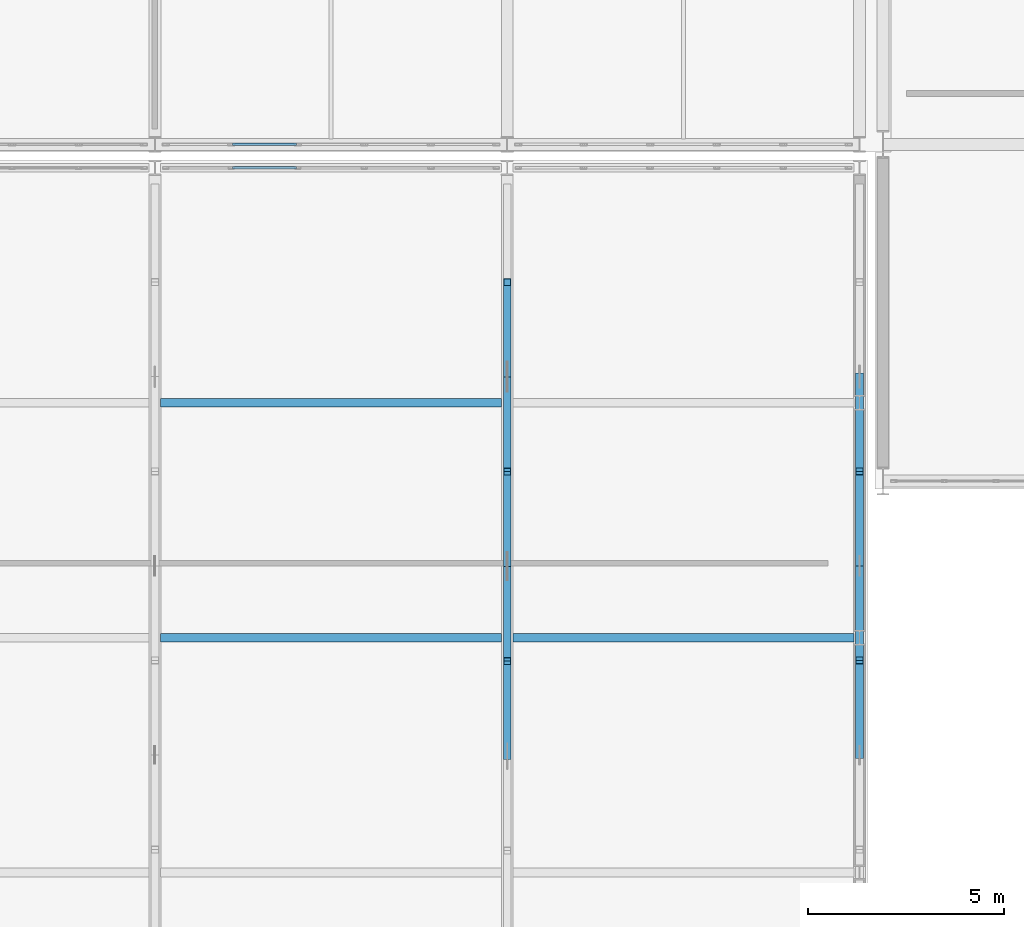
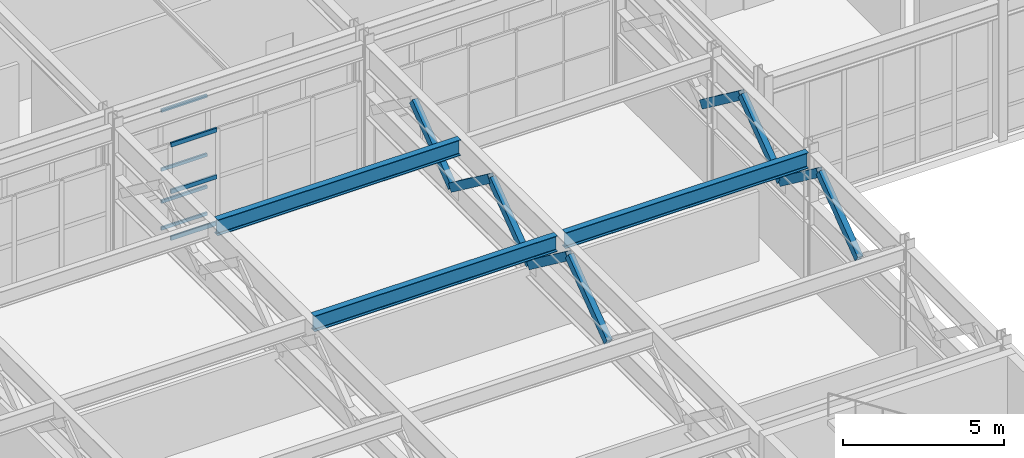
# One storey, part 44 of 210: 16 members, 3 beams, 2 elements without a shape of their own.
"""IFC4 building model written with IfcOpenShell, lengths in metres."""

from ifc_helpers import new_model, si_unit, direction, frame, origin, origin_2d, place, context, subcontext, project, spatial, hollow_rectangle, i_section, extrude, material, material_profile, profile_set, type_object, element, aggregate, save


model = new_model("IFC4")

# Units and contexts
model_context = context("Model", 3, precision=1e-05, world=origin(), true_north=direction((0.0, 1.0)))
body_context = subcontext(model_context, "Body", "Model", "MODEL_VIEW")
ifc_project = project(units=[si_unit("LENGTHUNIT", "METRE"), si_unit("AREAUNIT", "SQUARE_METRE"), si_unit("VOLUMEUNIT", "CUBIC_METRE"), si_unit("PLANEANGLEUNIT", "RADIAN"), si_unit("MASSUNIT", "GRAM", prefix="KILO")], contexts=[model_context])

# Site, building, storey
site_placement = place(None, origin())
site = spatial("IfcSite", under=ifc_project, at=site_placement, CompositionType="ELEMENT")
building_placement = place(site_placement, origin())
building = spatial("IfcBuilding", under=site, at=building_placement, Name="Kaldris Quays Convention Centre", CompositionType="ELEMENT")
storey_placement = place(building_placement, frame((0.0, 0.0, 6.0)))
storey = spatial("IfcBuildingStorey", under=building, at=storey_placement, Name="L01", CompositionType="ELEMENT", Elevation=6.0)

# Curtain wall, members
ifc_material_1 = material(Name="Anodized aluminium AW-6060 and triple glazing", Category="aluminium")
curtain_wall_type_1 = type_object("IfcCurtainWallType", Name="UNITISED CURTAIN WALL CW02", PredefinedType="NOTDEFINED", material=ifc_material_1)
curtain_wall_1_placement = place(storey_placement, origin())
curtain_wall_1 = element("IfcCurtainWall", 1, at=curtain_wall_1_placement, inside=storey, type_object=curtain_wall_type_1, Name="L01 Unitised Curtain Wall CW02 94", PredefinedType="NOTDEFINED")
ifc_material_2 = material(Name="Anodized aluminium AW-6060", Category="aluminium")
ifc_material_profile_1 = material_profile(ifc_material_2, hollow_rectangle(XDim=0.06005859375, YDim=0.1201171875, WallThickness=0.00390625, at=origin_2d()), Name="RHS 120x60x4")
ifc_profile_set_1 = profile_set([ifc_material_profile_1], Name="Anodized aluminium AW-6060")
member_type_1 = type_object("IfcMemberType", Name="CURTAIN TRANSOM CWT1", PredefinedType="USERDEFINED", material=ifc_profile_set_1)
member_1_placement = place(storey_placement, frame((66.97998046875, 46.60009765625, 0.030029296875), z_axis=(1.0, 0.0, 0.0), x_axis=(0.0, 1.0, 0.0)))
member_1 = element("IfcMember", 2, at=member_1_placement, type_object=member_type_1, Name="CW02 transom 2.1", ObjectType="TRANSOM", PredefinedType="USERDEFINED", context=body_context, shape_type="SweptSolid", body=[
    extrude(hollow_rectangle(XDim=0.06005859375, YDim=0.1201171875, WallThickness=0.00390625, at=origin_2d()), origin(), (0.0, 0.0, 1.0), 1.64013671875),
])
member_2_placement = place(storey_placement, frame((66.97998046875, 46.60009765625, 1.050048828125), z_axis=(1.0, 0.0, 0.0), x_axis=(0.0, 1.0, 0.0)))
member_2 = element("IfcMember", 3, at=member_2_placement, type_object=member_type_1, Name="CW02 transom 2.2", ObjectType="TRANSOM", PredefinedType="USERDEFINED", context=body_context, shape_type="SweptSolid", body=[
    extrude(hollow_rectangle(XDim=0.06005859375, YDim=0.1201171875, WallThickness=0.00390625, at=origin_2d()), origin(), (0.0, 0.0, 1.0), 1.64013671875),
])
member_3_placement = place(storey_placement, frame((66.97998046875, 46.60009765625, 2.263916015625), z_axis=(1.0, 0.0, 0.0), x_axis=(0.0, 1.0, 0.0)))
member_3 = element("IfcMember", 4, at=member_3_placement, type_object=member_type_1, Name="CW02 transom 2.3", ObjectType="TRANSOM", PredefinedType="USERDEFINED", context=body_context, shape_type="SweptSolid", body=[
    extrude(hollow_rectangle(XDim=0.06005859375, YDim=0.1201171875, WallThickness=0.00390625, at=origin_2d()), origin(), (0.0, 0.0, 1.0), 1.64013671875),
])
member_4_placement = place(storey_placement, frame((66.97998046875, 46.60009765625, 4.498046875), z_axis=(1.0, 0.0, 0.0), x_axis=(0.0, 1.0, 0.0)))
member_4 = element("IfcMember", 5, at=member_4_placement, type_object=member_type_1, Name="CW02 transom 2.4", ObjectType="TRANSOM", PredefinedType="USERDEFINED", context=body_context, shape_type="SweptSolid", body=[
    extrude(hollow_rectangle(XDim=0.06005859375, YDim=0.1201171875, WallThickness=0.00390625, at=origin_2d()), origin(), (0.0, 0.0, 1.0), 1.64013671875),
])
aggregate(curtain_wall_1, [member_1, member_2, member_3, member_4])

curtain_wall_type_2 = type_object("IfcCurtainWallType", Name="UNITISED CURTAIN WALL CW05", PredefinedType="NOTDEFINED", material=ifc_material_1)
curtain_wall_2_placement = place(storey_placement, origin())
curtain_wall_2 = element("IfcCurtainWall", 6, at=curtain_wall_2_placement, inside=storey, type_object=curtain_wall_type_2, Name="L01 Unitised Curtain Wall CW05 70", PredefinedType="NOTDEFINED")
ifc_material_profile_2 = material_profile(ifc_material_2, hollow_rectangle(XDim=0.06005859375, YDim=0.159912109375, WallThickness=0.00390625, at=origin_2d()), Name="RHS 160x60x4")
ifc_profile_set_2 = profile_set([ifc_material_profile_2], Name="Anodized aluminium AW-6060")
member_type_2 = type_object("IfcMemberType", Name="CURTAIN TRANSOM CWT2", PredefinedType="USERDEFINED", material=ifc_profile_set_2)
member_5_placement = place(storey_placement, frame((66.97998046875, 46.0, 0.030029296875), z_axis=(1.0, 0.0, 0.0), x_axis=(0.0, 1.0, 0.0)))
member_5 = element("IfcMember", 7, at=member_5_placement, type_object=member_type_2, Name="CW05 transom 2.1", ObjectType="TRANSOM", PredefinedType="USERDEFINED", context=body_context, shape_type="SweptSolid", body=[
    extrude(hollow_rectangle(XDim=0.06005859375, YDim=0.159912109375, WallThickness=0.00390625, at=origin_2d()), origin(), (0.0, 0.0, 1.0), 1.64013671875),
])
member_6_placement = place(storey_placement, frame((66.97998046875, 46.0, 1.800048828125), z_axis=(1.0, 0.0, 0.0), x_axis=(0.0, 1.0, 0.0)))
member_6 = element("IfcMember", 8, at=member_6_placement, type_object=member_type_2, Name="CW05 transom 2.2", ObjectType="TRANSOM", PredefinedType="USERDEFINED", context=body_context, shape_type="SweptSolid", body=[
    extrude(hollow_rectangle(XDim=0.06005859375, YDim=0.159912109375, WallThickness=0.00390625, at=origin_2d()), origin(), (0.0, 0.0, 1.0), 1.64013671875),
])
member_7_placement = place(storey_placement, frame((66.97998046875, 46.0, 3.570068359375), z_axis=(1.0, 0.0, 0.0), x_axis=(0.0, 1.0, 0.0)))
member_7 = element("IfcMember", 9, at=member_7_placement, type_object=member_type_2, Name="CW05 transom 2.3", ObjectType="TRANSOM", PredefinedType="USERDEFINED", context=body_context, shape_type="SweptSolid", body=[
    extrude(hollow_rectangle(XDim=0.06005859375, YDim=0.159912109375, WallThickness=0.00390625, at=origin_2d()), origin(), (0.0, 0.0, 1.0), 1.64013671875),
])
aggregate(curtain_wall_2, [member_5, member_6, member_7])

# Beams
ifc_material_3 = material(Name="Steel S355J2", Category="steel")
ifc_material_profile_3 = material_profile(ifc_material_3, i_section(OverallWidth=0.219970703125, OverallDepth=0.60009765625, WebThickness=0.011962890625, FlangeThickness=0.01904296875, FilletRadius=0.02392578125, at=origin_2d()), Name="IPE 600")
ifc_profile_set_3 = profile_set([ifc_material_profile_3], Name="Steel S355J2")
beam_type = type_object("IfcBeamType", Name="STRUCTURAL BEAM BM10", PredefinedType="BEAM", material=ifc_profile_set_3)
for number, where, z_axis, x_axis, name in (
    (10, (65.14501953125, 34.0, 4.758056640625), (1.0, 0.0, 0.0), (0.0, 1.0, 0.0), "L01 Ballroom Tie Beam BM10"),
    (11, (74.14501953125, 34.0, 4.758056640625), (1.0, 0.0, 0.0), (0.0, 1.0, 0.0), "L01 Ballroom Tie Beam BM10"),
    (12, (65.14501953125, 40.0, 4.758056640625), (1.0, 0.0, 0.0), (0.0, 1.0, 0.0), "L01 Ballroom Tie Beam BM10"),
):
    element("IfcBeam", number, at=place(storey_placement, frame(where, z_axis=z_axis, x_axis=x_axis)), inside=storey, type_object=beam_type, Name=name, PredefinedType="BEAM", context=body_context, shape_type="SweptSolid", body=[
        extrude(i_section(OverallWidth=0.219970703125, OverallDepth=0.60009765625, WebThickness=0.011962890625, FlangeThickness=0.01904296875, FilletRadius=0.02392578125, at=origin_2d()), origin(), (0.0, 0.0, 1.0), 8.7099609375),
    ])

# Members
ifc_material_4 = material(Name="Steel S355J2H", Category="steel")
ifc_material_profile_4 = material_profile(ifc_material_4, hollow_rectangle(XDim=0.199951171875, YDim=0.300048828125, WallThickness=0.012451171875, at=origin_2d()), Name="RHS 300x200x12.5")
ifc_profile_set_4 = profile_set([ifc_material_profile_4], Name="Steel S355J2H")
member_type_3 = type_object("IfcMemberType", Name="STRUCTURAL MEMBER TTD1", PredefinedType="BRACE", material=ifc_profile_set_4)
member_8_placement = place(storey_placement, frame((74.0, 30.97998046875, 2.75), z_axis=(0.0, 0.801084905857, 0.598550727681), x_axis=(-1.0, 0.0, 0.0)))
element("IfcMember", 13, at=member_8_placement, inside=storey, type_object=member_type_3, Name="Transfer Truss TT07 Diagonal 5", PredefinedType="BRACE", context=body_context, shape_type="SweptSolid", body=[
    extrude(hollow_rectangle(XDim=0.199951171875, YDim=0.300048828125, WallThickness=0.012451171875, at=origin_2d()), origin(), (0.0, 0.0, 1.0), 3.020751953125),
])
member_9_placement = place(storey_placement, frame((74.0, 35.820068359375, 2.75), z_axis=(0.0, -0.801113857753, 0.598511977254), x_axis=(1.0, 0.0, 0.0)))
element("IfcMember", 14, at=member_9_placement, inside=storey, type_object=member_type_3, Name="Transfer Truss TT07 Diagonal 6", PredefinedType="BRACE", context=body_context, shape_type="SweptSolid", body=[
    extrude(hollow_rectangle(XDim=0.199951171875, YDim=0.300048828125, WallThickness=0.012451171875, at=origin_2d()), origin(), (0.0, 0.0, 1.0), 3.02099609375),
])
for number, where, z_axis, x_axis, name in (
    (15, (74.0, 35.820068359375, 2.75), (0.0, 0.801084905857, 0.598550727681), (-1.0, 0.0, 0.0), "Transfer Truss TT07 Diagonal 7"),
    (16, (74.0, 40.659912109375, 2.75), (0.0, -0.801084905857, 0.598550727681), (1.0, 0.0, 0.0), "Transfer Truss TT07 Diagonal 8"),
):
    element("IfcMember", number, at=place(storey_placement, frame(where, z_axis=z_axis, x_axis=x_axis)), inside=storey, type_object=member_type_3, Name=name, PredefinedType="BRACE", context=body_context, shape_type="SweptSolid", body=[
        extrude(hollow_rectangle(XDim=0.199951171875, YDim=0.300048828125, WallThickness=0.012451171875, at=origin_2d()), origin(), (0.0, 0.0, 1.0), 3.020751953125),
    ])
member_10_placement = place(storey_placement, frame((74.0, 40.659912109375, 2.75), z_axis=(0.0, 0.801113857753, 0.598511977254), x_axis=(-1.0, 0.0, 0.0)))
element("IfcMember", 17, at=member_10_placement, inside=storey, type_object=member_type_3, Name="Transfer Truss TT07 Diagonal 9", PredefinedType="BRACE", context=body_context, shape_type="SweptSolid", body=[
    extrude(hollow_rectangle(XDim=0.199951171875, YDim=0.300048828125, WallThickness=0.012451171875, at=origin_2d()), origin(), (0.0, 0.0, 1.0), 3.02099609375),
])
member_11_placement = place(storey_placement, frame((83.0, 31.0, 2.75), z_axis=(0.0, 0.800708018983, 0.599054812464), x_axis=(-1.0, 0.0, 0.0)))
element("IfcMember", 18, at=member_11_placement, inside=storey, type_object=member_type_3, Name="Transfer Truss TT08 Diagonal 7", PredefinedType="BRACE", context=body_context, shape_type="SweptSolid", body=[
    extrude(hollow_rectangle(XDim=0.199951171875, YDim=0.300048828125, WallThickness=0.012451171875, at=origin_2d()), origin(), (0.0, 0.0, 1.0), 3.018310546875),
])
member_12_placement = place(storey_placement, frame((83.0, 35.833251953125, 2.75), z_axis=(0.0, -0.800678988238, 0.599093613548), x_axis=(1.0, 0.0, 0.0)))
element("IfcMember", 19, at=member_12_placement, inside=storey, type_object=member_type_3, Name="Transfer Truss TT08 Diagonal 8", PredefinedType="BRACE", context=body_context, shape_type="SweptSolid", body=[
    extrude(hollow_rectangle(XDim=0.199951171875, YDim=0.300048828125, WallThickness=0.012451171875, at=origin_2d()), origin(), (0.0, 0.0, 1.0), 3.01806640625),
])
for number, where, z_axis, x_axis, name in (
    (20, (83.0, 35.833251953125, 2.75), (0.0, 0.800708018983, 0.599054812464), (-1.0, 0.0, 0.0), "Transfer Truss TT08 Diagonal 9"),
    (21, (83.0, 40.666748046875, 2.75), (0.0, -0.800708018983, 0.599054812464), (1.0, 0.0, 0.0), "Transfer Truss TT08 Diagonal 10"),
):
    element("IfcMember", number, at=place(storey_placement, frame(where, z_axis=z_axis, x_axis=x_axis)), inside=storey, type_object=member_type_3, Name=name, PredefinedType="BRACE", context=body_context, shape_type="SweptSolid", body=[
        extrude(hollow_rectangle(XDim=0.199951171875, YDim=0.300048828125, WallThickness=0.012451171875, at=origin_2d()), origin(), (0.0, 0.0, 1.0), 3.018310546875),
    ])

save(model, "model.ifc")
